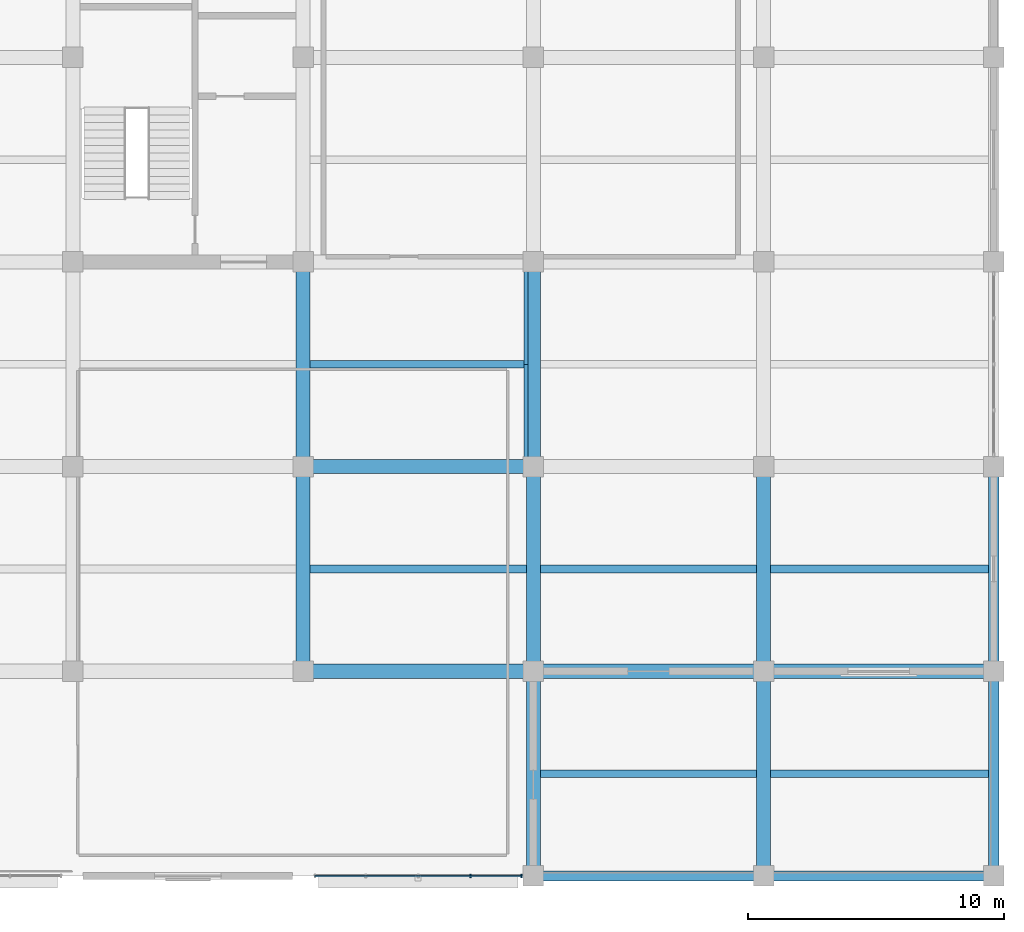
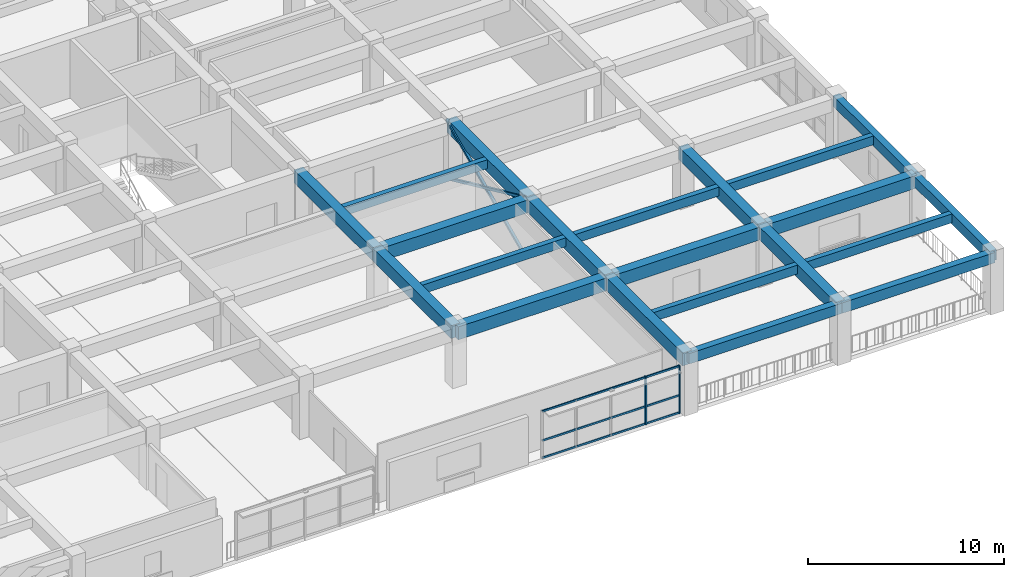
# One storey, part 6 of 17: 21 beams, 7 members, 1 element without a shape of its own.
"""IFC4 building model written with IfcOpenShell, lengths in metres."""

from ifc_helpers import new_model, si_unit, direction, frame, origin, origin_2d, place, context, subcontext, project, spatial, rectangle, hollow_rectangle, extrude, material, material_profile, profile_set, type_object, element, aggregate, save


model = new_model("IFC4")

# Units and contexts
model_context = context("Model", 3, precision=1e-05, world=origin(), true_north=direction((0.0, 1.0)))
body_context = subcontext(model_context, "Body", "Model", "MODEL_VIEW")
ifc_project = project(units=[si_unit("LENGTHUNIT", "METRE"), si_unit("AREAUNIT", "SQUARE_METRE"), si_unit("VOLUMEUNIT", "CUBIC_METRE"), si_unit("PLANEANGLEUNIT", "RADIAN"), si_unit("MASSUNIT", "GRAM", prefix="KILO")], contexts=[model_context])

# Site, building, storey
site_placement = place(None, origin())
site = spatial("IfcSite", under=ifc_project, at=site_placement, CompositionType="ELEMENT")
building_placement = place(site_placement, origin())
building = spatial("IfcBuilding", under=site, at=building_placement, Name="Zaverband Oceanarium and Marine Research Institute", CompositionType="ELEMENT")
storey_placement = place(building_placement, frame((0.0, 0.0, 33.60009765625)))
storey = spatial("IfcBuildingStorey", under=building, at=storey_placement, Name="L08", CompositionType="ELEMENT", Elevation=33.60009765625)

# Beams
ifc_material_1 = material(Name="Concrete C40/50", Category="concrete")
ifc_material_profile_1 = material_profile(ifc_material_1, rectangle(XDim=0.550048828125, YDim=0.800048828125, at=origin_2d()), Name="RC550x800")
ifc_profile_set_1 = profile_set([ifc_material_profile_1], Name="Concrete C40/50")
beam_type_1 = type_object("IfcBeamType", Name="BM-550x800", PredefinedType="BEAM", material=ifc_profile_set_1)
for number, where, z_axis, x_axis, name in (
    (1, (45.0, 72.0, 3.25), (1.0, 0.0, 0.0), (0.0, 1.0, 0.0), "Primary floor girder BM-550x800"),
    (2, (54.0, 72.0, 3.25), (1.0, 0.0, 0.0), (0.0, 1.0, 0.0), "Primary floor girder BM-550x800"),
    (3, (63.0, 72.0, 3.25), (1.0, 0.0, 0.0), (0.0, 1.0, 0.0), "Primary floor girder BM-550x800"),
    (4, (45.0, 80.0, 3.25), (1.0, 0.0, 0.0), (0.0, 1.0, 0.0), "Primary floor girder BM-550x800"),
):
    element("IfcBeam", number, at=place(storey_placement, frame(where, z_axis=z_axis, x_axis=x_axis)), inside=storey, type_object=beam_type_1, Name=name, PredefinedType="BEAM", context=body_context, shape_type="SweptSolid", body=[
        extrude(rectangle(XDim=0.550048828125, YDim=0.800048828125, at=origin_2d()), origin(), (0.0, 0.0, 1.0), 9.0),
    ])
for number, where, z_axis, x_axis, name in (
    (5, (45.0, 72.0, 3.25), (0.0, 1.0, 0.0), (-1.0, 0.0, 0.0), "Primary floor girder BM-550x800"),
    (6, (45.0, 80.0, 3.25), (0.0, 1.0, 0.0), (-1.0, 0.0, 0.0), "Primary floor girder BM-550x800"),
    (7, (54.0, 64.0, 3.25), (0.0, 1.0, 0.0), (-1.0, 0.0, 0.0), "Primary floor girder BM-550x800"),
    (8, (54.0, 72.0, 3.25), (0.0, 1.0, 0.0), (-1.0, 0.0, 0.0), "Primary floor girder BM-550x800"),
    (9, (54.0, 80.0, 3.25), (0.0, 1.0, 0.0), (-1.0, 0.0, 0.0), "Primary floor girder BM-550x800"),
    (10, (63.0, 64.0, 3.25), (0.0, 1.0, 0.0), (-1.0, 0.0, 0.0), "Primary floor girder BM-550x800"),
    (11, (63.0, 72.0, 3.25), (0.0, 1.0, 0.0), (-1.0, 0.0, 0.0), "Primary floor girder BM-550x800"),
):
    element("IfcBeam", number, at=place(storey_placement, frame(where, z_axis=z_axis, x_axis=x_axis)), inside=storey, type_object=beam_type_1, Name=name, PredefinedType="BEAM", context=body_context, shape_type="SweptSolid", body=[
        extrude(rectangle(XDim=0.550048828125, YDim=0.800048828125, at=origin_2d()), origin(), (0.0, 0.0, 1.0), 8.0),
    ])

# Members
ifc_material_2 = material(Name="Steel S355", Category="steel")
ifc_material_profile_2 = material_profile(ifc_material_2, hollow_rectangle(XDim=0.14990234375, YDim=0.14990234375, WallThickness=0.008056640625, at=origin_2d()), Name="SHS150x150x8")
ifc_profile_set_2 = profile_set([ifc_material_profile_2], Name="Steel S355")
member_type_1 = type_object("IfcMemberType", Name="BR-04", PredefinedType="BRACE", material=ifc_profile_set_2)
for number, where, z_axis, x_axis, name in (
    (12, (53.719970703125, 80.0, 0.0), (0.0, 0.909785572369, 0.415078561612), (-1.0, 0.0, 0.0), "Diagonal lateral brace BR-04"),
    (13, (53.719970703125, 88.0, 0.0), (0.0, -0.909785572369, 0.415078561612), (1.0, 0.0, 0.0), "Diagonal lateral brace BR-04"),
):
    element("IfcMember", number, at=place(storey_placement, frame(where, z_axis=z_axis, x_axis=x_axis)), inside=storey, type_object=member_type_1, Name=name, PredefinedType="BRACE", context=body_context, shape_type="SweptSolid", body=[
        extrude(hollow_rectangle(XDim=0.14990234375, YDim=0.14990234375, WallThickness=0.008056640625, at=origin_2d()), origin(), (0.0, 0.0, 1.0), 8.793212890625),
    ])

# Beams
ifc_material_profile_3 = material_profile(ifc_material_1, rectangle(XDim=0.300048828125, YDim=0.550048828125, at=origin_2d()), Name="RC300x550")
ifc_profile_set_3 = profile_set([ifc_material_profile_3], Name="Concrete C40/50")
beam_type_2 = type_object("IfcBeamType", Name="JST-300x550", PredefinedType="JOIST", material=ifc_profile_set_3)
for number, where, z_axis, x_axis, name in (
    (14, (45.27490234375, 76.0, 3.375), (1.0, 0.0, 0.0), (0.0, 1.0, 0.0), "Secondary floor joist JST-300x550"),
    (15, (45.27490234375, 84.0, 3.375), (1.0, 0.0, 0.0), (0.0, 1.0, 0.0), "Secondary floor joist JST-300x550"),
    (16, (54.27490234375, 68.0, 3.375), (1.0, 0.0, 0.0), (0.0, 1.0, 0.0), "Secondary floor joist JST-300x550"),
    (17, (54.27490234375, 76.0, 3.375), (1.0, 0.0, 0.0), (0.0, 1.0, 0.0), "Secondary floor joist JST-300x550"),
):
    element("IfcBeam", number, at=place(storey_placement, frame(where, z_axis=z_axis, x_axis=x_axis)), inside=storey, type_object=beam_type_2, Name=name, PredefinedType="JOIST", context=body_context, shape_type="SweptSolid", body=[
        extrude(rectangle(XDim=0.300048828125, YDim=0.550048828125, at=origin_2d()), origin(), (0.0, 0.0, 1.0), 8.4501953125),
    ])
for number, where, z_axis, x_axis, name in (
    (18, (63.27490234375, 68.0, 3.375), (1.0, 0.0, 0.0), (0.0, 1.0, 0.0), "Secondary floor joist JST-300x550"),
    (19, (63.27490234375, 76.0, 3.375), (1.0, 0.0, 0.0), (0.0, 1.0, 0.0), "Secondary floor joist JST-300x550"),
):
    element("IfcBeam", number, at=place(storey_placement, frame(where, z_axis=z_axis, x_axis=x_axis)), inside=storey, type_object=beam_type_2, Name=name, PredefinedType="JOIST", context=body_context, shape_type="SweptSolid", body=[
        extrude(rectangle(XDim=0.300048828125, YDim=0.550048828125, at=origin_2d()), origin(), (0.0, 0.0, 1.0), 8.525146484375),
    ])

# Curtain wall, members
ifc_material_3 = material(Name="Thermally broken anodized aluminium and solar-control glass", Category="aluminium")
curtain_wall_type = type_object("IfcCurtainWallType", Name="CW-UNIT-1800", PredefinedType="NOTDEFINED", material=ifc_material_3)
curtain_wall_placement = place(storey_placement, origin())
curtain_wall = element("IfcCurtainWall", 20, at=curtain_wall_placement, inside=storey, type_object=curtain_wall_type, Name="Unitised glazed curtain wall CW-096", PredefinedType="NOTDEFINED")
ifc_material_4 = material(Name="Thermally broken anodized aluminium", Category="aluminium")
ifc_material_profile_4 = material_profile(ifc_material_4, rectangle(XDim=0.070068359375, YDim=0.14990234375, at=origin_2d()), Name="AL-MUL-70x150")
ifc_profile_set_4 = profile_set([ifc_material_profile_4], Name="Thermally broken anodized aluminium")
member_type_2 = type_object("IfcMemberType", Name="MUL-70x150", PredefinedType="MULLION", material=ifc_profile_set_4)
member_1_placement = place(storey_placement, frame((51.547607421875, 64.0, 0.0), z_axis=(0.0, 0.0, 1.0), x_axis=(1.0, 0.0, 0.0)))
member_1 = element("IfcMember", 21, at=member_1_placement, type_object=member_type_2, Name="Curtain wall vertical mullion MUL-70x150", PredefinedType="MULLION", context=body_context, shape_type="SweptSolid", body=[
    extrude(rectangle(XDim=0.070068359375, YDim=0.14990234375, at=origin_2d()), origin(), (0.0, 0.0, 1.0), 2.97998046875),
])
member_2_placement = place(storey_placement, frame((53.534912109375, 64.0, 0.0), z_axis=(0.0, 0.0, 1.0), x_axis=(1.0, 0.0, 0.0)))
member_2 = element("IfcMember", 22, at=member_2_placement, type_object=member_type_2, Name="Curtain wall vertical mullion MUL-70x150", PredefinedType="MULLION", context=body_context, shape_type="SweptSolid", body=[
    extrude(rectangle(XDim=0.070068359375, YDim=0.14990234375, at=origin_2d()), origin(), (0.0, 0.0, 1.0), 2.97998046875),
])

# Beams
ifc_material_profile_5 = material_profile(ifc_material_1, rectangle(XDim=0.39990234375, YDim=0.64990234375, at=origin_2d()), Name="RC400x650")
ifc_profile_set_5 = profile_set([ifc_material_profile_5], Name="Concrete C40/50")
beam_type_3 = type_object("IfcBeamType", Name="SPN-400x650", PredefinedType="SPANDREL", material=ifc_profile_set_5)
for number, where, z_axis, x_axis, name in (
    (23, (54.0, 64.0, 3.324951171875), (1.0, 0.0, 0.0), (0.0, 1.0, 0.0), "Perimeter spandrel beam SPN-400x650"),
    (24, (63.0, 64.0, 3.324951171875), (1.0, 0.0, 0.0), (0.0, 1.0, 0.0), "Perimeter spandrel beam SPN-400x650"),
):
    element("IfcBeam", number, at=place(storey_placement, frame(where, z_axis=z_axis, x_axis=x_axis)), inside=storey, type_object=beam_type_3, Name=name, PredefinedType="SPANDREL", context=body_context, shape_type="SweptSolid", body=[
        extrude(rectangle(XDim=0.39990234375, YDim=0.64990234375, at=origin_2d()), origin(), (0.0, 0.0, 1.0), 9.0),
    ])
for number, where, z_axis, x_axis, name in (
    (25, (72.0, 64.0, 3.324951171875), (0.0, 1.0, 0.0), (-1.0, 0.0, 0.0), "Perimeter spandrel beam SPN-400x650"),
    (26, (72.0, 72.0, 3.324951171875), (0.0, 1.0, 0.0), (-1.0, 0.0, 0.0), "Perimeter spandrel beam SPN-400x650"),
):
    element("IfcBeam", number, at=place(storey_placement, frame(where, z_axis=z_axis, x_axis=x_axis)), inside=storey, type_object=beam_type_3, Name=name, PredefinedType="SPANDREL", context=body_context, shape_type="SweptSolid", body=[
        extrude(rectangle(XDim=0.39990234375, YDim=0.64990234375, at=origin_2d()), origin(), (0.0, 0.0, 1.0), 8.0),
    ])

# Member
ifc_material_profile_6 = material_profile(ifc_material_4, rectangle(XDim=0.070068359375, YDim=0.114990234375, at=origin_2d()), Name="AL-TRN-70x115")
ifc_profile_set_6 = profile_set([ifc_material_profile_6], Name="Thermally broken anodized aluminium")
member_type_3 = type_object("IfcMemberType", Name="TRN-70x115", PredefinedType="USERDEFINED", material=ifc_profile_set_6)
member_3_placement = place(storey_placement, frame((45.465087890625, 64.0, 0.0498046875), z_axis=(1.0, 0.0, 0.0), x_axis=(0.0, 1.0, 0.0)))
member_3 = element("IfcMember", 27, at=member_3_placement, type_object=member_type_3, Name="Curtain wall horizontal transom TRN-70x115", ObjectType="TRANSOM", PredefinedType="USERDEFINED", context=body_context, shape_type="SweptSolid", body=[
    extrude(rectangle(XDim=0.070068359375, YDim=0.114990234375, at=origin_2d()), origin(), (0.0, 0.0, 1.0), 8.06982421875),
])

member_4_placement = place(storey_placement, frame((45.465087890625, 64.0, 1.122802734375), z_axis=(1.0, 0.0, 0.0), x_axis=(0.0, 1.0, 0.0)))
member_4 = element("IfcMember", 28, at=member_4_placement, type_object=member_type_3, Name="Curtain wall horizontal transom TRN-70x115", ObjectType="TRANSOM", PredefinedType="USERDEFINED", context=body_context, shape_type="SweptSolid", body=[
    extrude(rectangle(XDim=0.070068359375, YDim=0.114990234375, at=origin_2d()), origin(), (0.0, 0.0, 1.0), 8.06982421875),
])

member_5_placement = place(storey_placement, frame((45.465087890625, 64.0, 2.929931640625), z_axis=(1.0, 0.0, 0.0), x_axis=(0.0, 1.0, 0.0)))
member_5 = element("IfcMember", 29, at=member_5_placement, type_object=member_type_3, Name="Curtain wall horizontal transom TRN-70x115", ObjectType="TRANSOM", PredefinedType="USERDEFINED", context=body_context, shape_type="SweptSolid", body=[
    extrude(rectangle(XDim=0.070068359375, YDim=0.114990234375, at=origin_2d()), origin(), (0.0, 0.0, 1.0), 8.06982421875),
])

aggregate(curtain_wall, [member_1, member_2, member_3, member_4, member_5])

save(model, "model.ifc")
